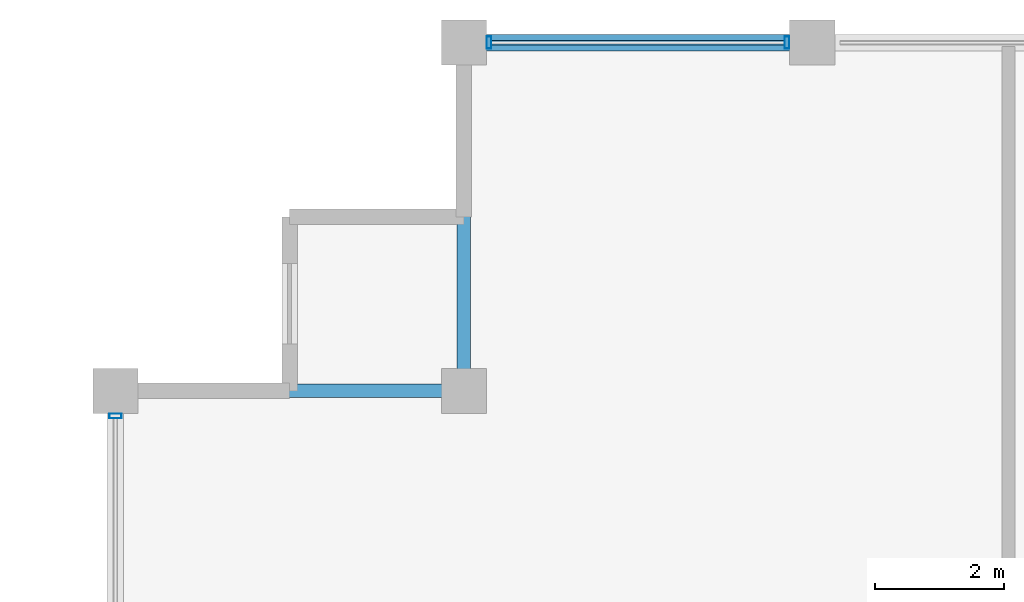
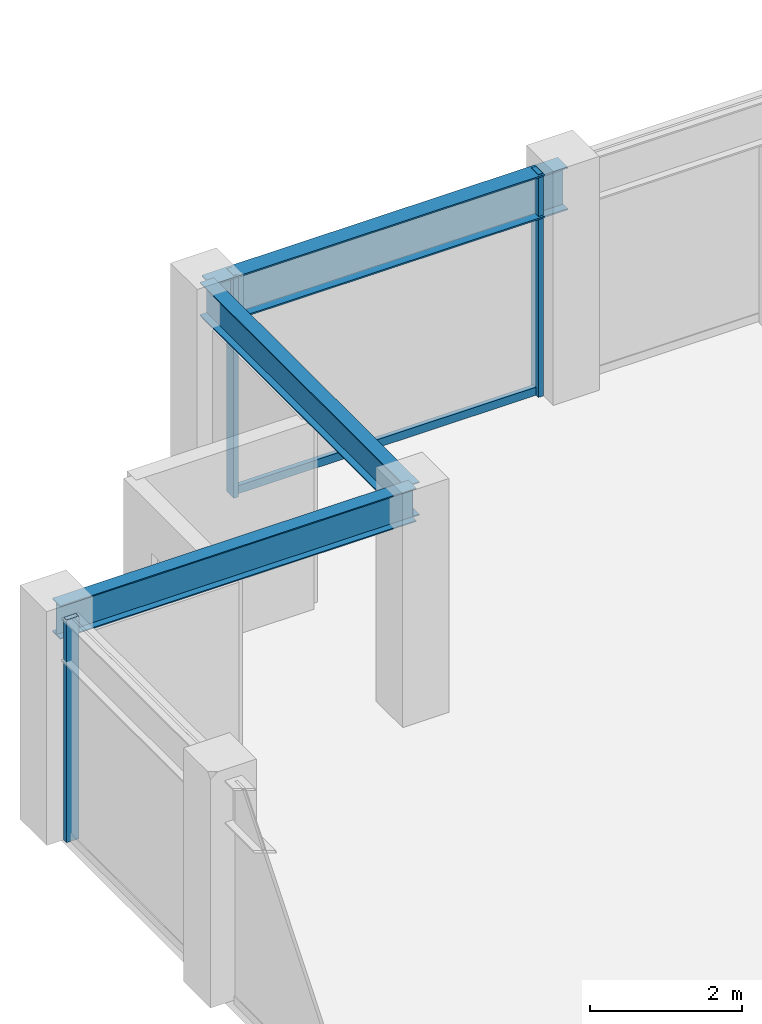
# One storey, part 17 of 32: 4 members, 3 beams, 2 elements without a shape of their own.
"""IFC4 building model written with IfcOpenShell, lengths in metres."""

from ifc_helpers import new_model, si_unit, direction, frame, origin, origin_2d, place, context, subcontext, project, spatial, hollow_rectangle, i_section, extrude, material, layer, layer_set, material_profile, profile_set, type_object, element, aggregate, save


model = new_model("IFC4")

# Units and contexts
model_context = context("Model", 3, precision=1e-05, world=origin(), true_north=direction((0.0, 1.0)))
body_context = subcontext(model_context, "Body", "Model", "MODEL_VIEW")
ifc_project = project(units=[si_unit("LENGTHUNIT", "METRE"), si_unit("AREAUNIT", "SQUARE_METRE"), si_unit("VOLUMEUNIT", "CUBIC_METRE"), si_unit("PLANEANGLEUNIT", "RADIAN"), si_unit("MASSUNIT", "GRAM", prefix="KILO")], contexts=[model_context])

# Site, building, storey
site_placement = place(None, origin())
site = spatial("IfcSite", under=ifc_project, at=site_placement, CompositionType="ELEMENT")
building_placement = place(site_placement, origin())
building = spatial("IfcBuilding", under=site, at=building_placement, Name="Surkhivell Harbour Commons", CompositionType="ELEMENT")
storey_placement = place(building_placement, frame((0.0, 0.0, 311.25)))
storey = spatial("IfcBuildingStorey", under=building, at=storey_placement, Name="L81", CompositionType="ELEMENT", Elevation=311.25)

# Beams
ifc_material_1 = material(Name="Steel S355", Category="steel")
ifc_material_profile_1 = material_profile(ifc_material_1, i_section(OverallWidth=0.2099609375, OverallDepth=0.537109375, WebThickness=0.0107421875, FlangeThickness=0.017333984375, at=origin_2d()), Name="UB533x210x101")
ifc_profile_set_1 = profile_set([ifc_material_profile_1], Name="Steel S355")
beam_type_1 = type_object("IfcBeamType", Name="BM-GRD-533B", PredefinedType="BEAM", material=ifc_profile_set_1)
for number, where, z_axis, x_axis, name in (
    (1, (-27.0, 20.5, 3.301513671875), (1.0, 0.0, 0.0), (0.0, 1.0, 0.0), "L81 Floor Girder (-27.0,20.5)"),
    (2, (-21.60009765625, 20.5, 3.301513671875), (0.0, 1.0, 0.0), (-1.0, 0.0, 0.0), "L81 Floor Girder (-21.6,20.5)"),
):
    element("IfcBeam", number, at=place(storey_placement, frame(where, z_axis=z_axis, x_axis=x_axis)), inside=storey, type_object=beam_type_1, Name=name, PredefinedType="BEAM", context=body_context, shape_type="SweptSolid", body=[
        extrude(i_section(OverallWidth=0.2099609375, OverallDepth=0.537109375, WebThickness=0.0107421875, FlangeThickness=0.017333984375, at=origin_2d()), origin(), (0.0, 0.0, 1.0), 5.39990234375),
    ])
ifc_material_profile_2 = material_profile(ifc_material_1, i_section(OverallWidth=0.256103515625, OverallDepth=0.693115234375, WebThickness=0.014404296875, FlangeThickness=0.023681640625, at=origin_2d()), Name="UB686x254x170")
ifc_profile_set_2 = profile_set([ifc_material_profile_2], Name="Steel S355")
beam_type_2 = type_object("IfcBeamType", Name="BM-SPN-686", PredefinedType="SPANDREL", material=ifc_profile_set_2)
beam_placement = place(storey_placement, frame((-21.60009765625, 25.89990234375, 3.223388671875), z_axis=(1.0, 0.0, 0.0), x_axis=(0.0, 1.0, 0.0)))
element("IfcBeam", 3, at=beam_placement, inside=storey, type_object=beam_type_2, Name="L81 Tube Spandrel (-21.6,25.9)", PredefinedType="SPANDREL", context=body_context, shape_type="SweptSolid", body=[
    extrude(i_section(OverallWidth=0.256103515625, OverallDepth=0.693115234375, WebThickness=0.014404296875, FlangeThickness=0.023681640625, at=origin_2d()), origin(), (0.0, 0.0, 1.0), 5.400146484375),
])

# Curtain wall, members
ifc_material_2 = material(Name="Anodised pale-metal aluminium and insulated glazing", Category="aluminium")
ifc_layer = layer(ifc_material_2, 0.175048828125)
ifc_layer_set = layer_set([ifc_layer], Name="Anodised pale-metal aluminium and insulated glazing")
curtain_wall_type = type_object("IfcCurtainWallType", Name="CW-SYS-Z4", PredefinedType="NOTDEFINED", material=ifc_layer_set)
curtain_wall_1_placement = place(storey_placement, origin())
curtain_wall_1 = element("IfcCurtainWall", 4, at=curtain_wall_1_placement, inside=storey, type_object=curtain_wall_type, Name="L81 Curtain Wall CW-L81-E07S2", PredefinedType="NOTDEFINED")
ifc_material_3 = material(Name="Anodised pale-metal aluminium alloy 6063-T6", Category="aluminium")
ifc_material_profile_3 = material_profile(ifc_material_3, hollow_rectangle(XDim=0.074951171875, YDim=0.18994140625, WallThickness=0.00390625, at=origin_2d()), Name="ALU-MULL-75x190")
ifc_profile_set_3 = profile_set([ifc_material_profile_3], Name="Anodised pale-metal aluminium alloy 6063-T6")
member_type_1 = type_object("IfcMemberType", Name="CWM-190", PredefinedType="MULLION", material=ifc_profile_set_3)
member_1_placement = place(storey_placement, frame((-16.589599609375, 25.89990234375, 0.0), z_axis=(0.0, 0.0, 1.0), x_axis=(-1.0, 0.0, 0.0)))
member_1 = element("IfcMember", 5, at=member_1_placement, type_object=member_type_1, Name="CW-Z4 mullion 3", PredefinedType="MULLION", context=body_context, shape_type="SweptSolid", body=[
    extrude(hollow_rectangle(XDim=0.074951171875, YDim=0.18994140625, WallThickness=0.00390625, at=origin_2d()), origin(), (0.0, 0.0, 1.0), 3.570068359375),
])
member_2_placement = place(storey_placement, frame((-21.21044921875, 25.89990234375, 0.0), z_axis=(0.0, 0.0, 1.0), x_axis=(-1.0, 0.0, 0.0)))
member_2 = element("IfcMember", 6, at=member_2_placement, type_object=member_type_1, Name="CW-Z4 mullion 4", PredefinedType="MULLION", context=body_context, shape_type="SweptSolid", body=[
    extrude(hollow_rectangle(XDim=0.074951171875, YDim=0.18994140625, WallThickness=0.00390625, at=origin_2d()), origin(), (0.0, 0.0, 1.0), 3.570068359375),
])

# Curtain wall, member
curtain_wall_2_placement = place(storey_placement, origin())
curtain_wall_2 = element("IfcCurtainWall", 7, at=curtain_wall_2_placement, inside=storey, type_object=curtain_wall_type, Name="L81 Curtain Wall CW-L81-E12R2", PredefinedType="NOTDEFINED")
member_3_placement = place(storey_placement, frame((-27.0, 20.110595703125, 0.0), z_axis=(0.0, 0.0, 1.0), x_axis=(0.0, 1.0, 0.0)))
member_3 = element("IfcMember", 8, at=member_3_placement, type_object=member_type_1, Name="CW-Z4 mullion 4", PredefinedType="MULLION", context=body_context, shape_type="SweptSolid", body=[
    extrude(hollow_rectangle(XDim=0.074951171875, YDim=0.18994140625, WallThickness=0.00390625, at=origin_2d()), origin(), (0.0, 0.0, 1.0), 3.570068359375),
])
aggregate(curtain_wall_2, [member_3])

# Member
ifc_material_4 = material(Name="Champagne anodised aluminium alloy 6063-T6", Category="aluminium")
ifc_material_profile_4 = material_profile(ifc_material_4, hollow_rectangle(XDim=0.070068359375, YDim=0.1298828125, WallThickness=0.00341796875, at=origin_2d()), Name="ALU-TRAN-70x130")
ifc_profile_set_4 = profile_set([ifc_material_profile_4], Name="Champagne anodised aluminium alloy 6063-T6")
member_type_2 = type_object("IfcMemberType", Name="CWT-130", PredefinedType="USERDEFINED", material=ifc_profile_set_4)
member_4_placement = place(storey_placement, frame((-16.626953125, 25.89990234375, 0.06494140625), z_axis=(-1.0, 0.0, 0.0), x_axis=(0.0, -1.0, 0.0)))
member_4 = element("IfcMember", 9, at=member_4_placement, type_object=member_type_2, Name="CW-Z4 transom 3.1", ObjectType="TRANSOM", PredefinedType="USERDEFINED", context=body_context, shape_type="SweptSolid", body=[
    extrude(hollow_rectangle(XDim=0.070068359375, YDim=0.1298828125, WallThickness=0.00341796875, at=origin_2d()), origin(), (0.0, 0.0, 1.0), 4.546142578125),
])

aggregate(curtain_wall_1, [member_1, member_2, member_4])

save(model, "model.ifc")
